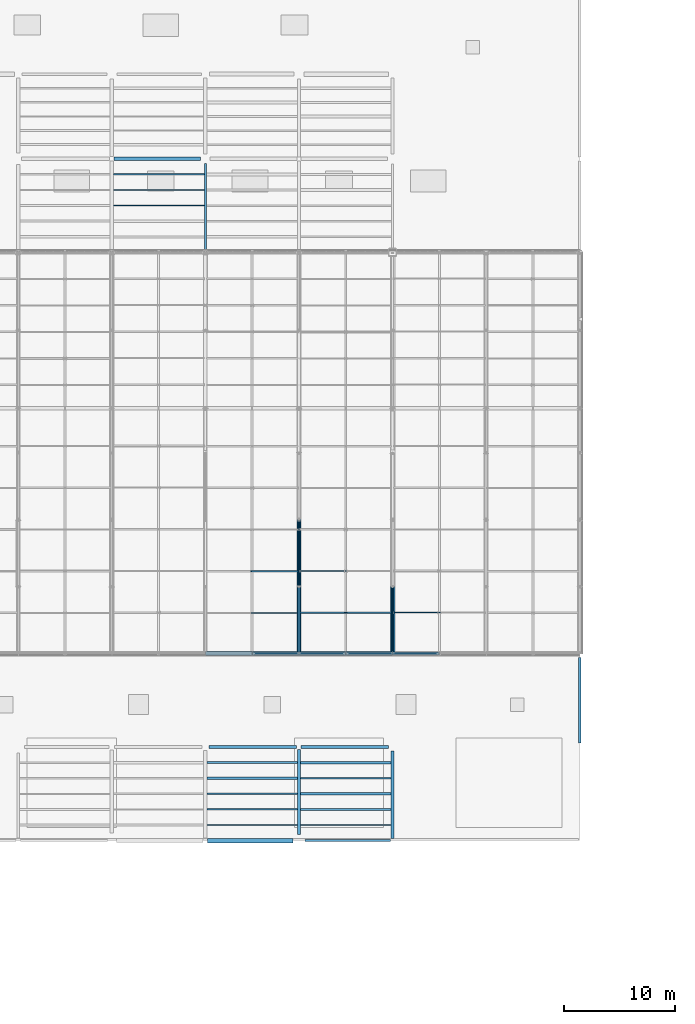
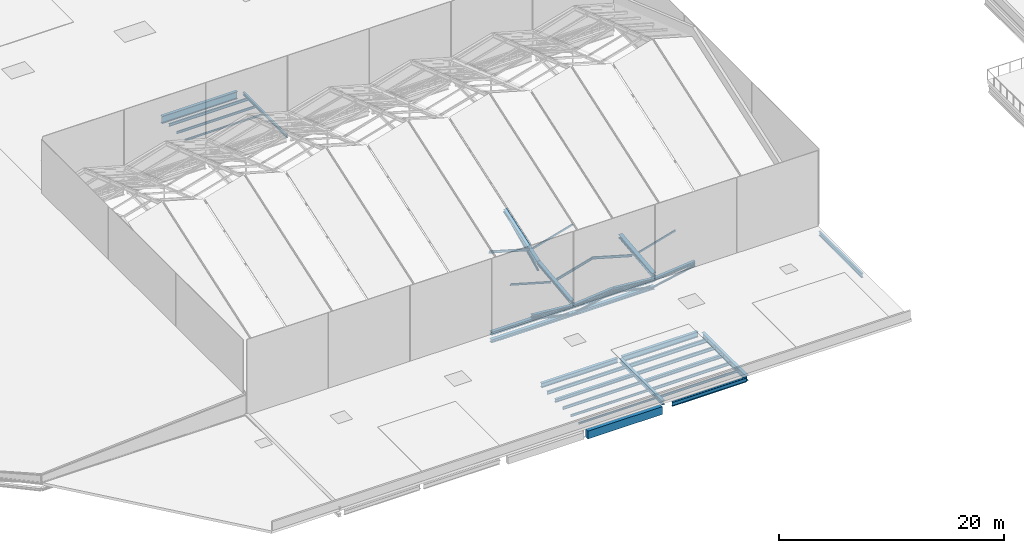
# One storey, part 21 of 77: 24 members, 22 beams.
"""IFC4 building model written with IfcOpenShell, lengths in metres."""

from ifc_helpers import new_model, si_unit, direction, frame, origin, origin_2d, place, context, subcontext, project, spatial, rectangle, hollow_rectangle, hollow_circle, i_section, extrude, material, material_profile, profile_set, type_object, element, save


model = new_model("IFC4")

# Units and contexts
model_context = context("Model", 3, precision=1e-05, world=origin(), true_north=direction((0.0, 1.0)))
body_context = subcontext(model_context, "Body", "Model", "MODEL_VIEW")
ifc_project = project(units=[si_unit("LENGTHUNIT", "METRE"), si_unit("AREAUNIT", "SQUARE_METRE"), si_unit("VOLUMEUNIT", "CUBIC_METRE"), si_unit("PLANEANGLEUNIT", "RADIAN"), si_unit("MASSUNIT", "GRAM", prefix="KILO")], contexts=[model_context])

# Site, building, storey
site_placement = place(None, origin())
site = spatial("IfcSite", under=ifc_project, at=site_placement, CompositionType="ELEMENT")
building_placement = place(site_placement, origin())
building = spatial("IfcBuilding", under=site, at=building_placement, Name="Larkvane Passage Sports Hall", CompositionType="ELEMENT")
storey_placement = place(building_placement, frame((0.0, 0.0, 22.199951171875)))
storey = spatial("IfcBuildingStorey", under=building, at=storey_placement, Name="RF", CompositionType="ELEMENT", Elevation=22.199951171875)

# Beams
ifc_material_1 = material(Name="Steel S355JR", Category="steel")
ifc_material_profile_1 = material_profile(ifc_material_1, i_section(OverallWidth=0.199951171875, OverallDepth=0.2939453125, WebThickness=0.008056640625, FlangeThickness=0.011962890625, FilletRadius=0.012939453125, at=origin_2d()), Name="H-294x200x8x12")
ifc_profile_set_1 = profile_set([ifc_material_profile_1], Name="Steel S355JR")
beam_type_1 = type_object("IfcBeamType", Name="BM-STL-H294", PredefinedType="BEAM", material=ifc_profile_set_1)
beam_1_placement = place(storey_placement, frame((60.0, 75.800048828125, -0.52685546875), z_axis=(0.0, 1.0, 0.0), x_axis=(-1.0, 0.0, 0.0)))
element("IfcBeam", 1, at=beam_1_placement, inside=storey, type_object=beam_type_1, Name="Girder BM5-Y-RF-9-1171", PredefinedType="BEAM", context=body_context, shape_type="SweptSolid", body=[
    extrude(i_section(OverallWidth=0.199951171875, OverallDepth=0.2939453125, WebThickness=0.008056640625, FlangeThickness=0.011962890625, FilletRadius=0.012939453125, at=origin_2d()), origin(), (0.0, 0.0, 1.0), 7.77490234375),
])
ifc_material_profile_2 = material_profile(ifc_material_1, i_section(OverallWidth=0.300048828125, OverallDepth=0.43994140625, WebThickness=0.010986328125, FlangeThickness=0.01806640625, FilletRadius=0.01806640625, at=origin_2d()), Name="H-440x300x11x18")
ifc_profile_set_2 = profile_set([ifc_material_profile_2], Name="Steel S355JR")
beam_type_2 = type_object("IfcBeamType", Name="BM-STL-H440", PredefinedType="BEAM", material=ifc_profile_set_2)
beam_2_placement = place(storey_placement, frame((68.39990234375, 23.35009765625, -0.599853515625), z_axis=(0.0, 1.0, 0.0), x_axis=(-1.0, 0.0, 0.0)))
element("IfcBeam", 2, at=beam_2_placement, inside=storey, type_object=beam_type_2, Name="Girder BM5-Y-RF-10-1173", PredefinedType="BEAM", context=body_context, shape_type="SweptSolid", body=[
    extrude(i_section(OverallWidth=0.300048828125, OverallDepth=0.43994140625, WebThickness=0.010986328125, FlangeThickness=0.01806640625, FilletRadius=0.01806640625, at=origin_2d()), origin(), (0.0, 0.0, 1.0), 7.646728515625),
])
ifc_material_profile_3 = material_profile(ifc_material_1, i_section(OverallWidth=0.300048828125, OverallDepth=0.488037109375, WebThickness=0.010986328125, FlangeThickness=0.01806640625, FilletRadius=0.02197265625, at=origin_2d()), Name="H-488x300x11x18")
ifc_profile_set_3 = profile_set([ifc_material_profile_3], Name="Steel S355JR")
beam_type_3 = type_object("IfcBeamType", Name="BM-STL-H488", PredefinedType="BEAM", material=ifc_profile_set_3)
beam_3_placement = place(storey_placement, frame((60.324951171875, 31.199951171875, -0.6240234375), z_axis=(1.0, 0.0, 0.0), x_axis=(0.0, 1.0, 0.0)))
element("IfcBeam", 3, at=beam_3_placement, inside=storey, type_object=beam_type_3, Name="Girder BM5-X-RF-E-1135", PredefinedType="BEAM", context=body_context, shape_type="SweptSolid", body=[
    extrude(i_section(OverallWidth=0.300048828125, OverallDepth=0.488037109375, WebThickness=0.010986328125, FlangeThickness=0.01806640625, FilletRadius=0.02197265625, at=origin_2d()), origin(), (0.0, 0.0, 1.0), 7.871826171875),
])
ifc_material_2 = material(Name="Steel S460N", Category="steel")
ifc_material_profile_4 = material_profile(ifc_material_2, i_section(OverallWidth=0.300048828125, OverallDepth=0.58203125, WebThickness=0.011962890625, FlangeThickness=0.01708984375, FilletRadius=0.02197265625, at=origin_2d()), Name="H-582x300x12x17")
ifc_profile_set_4 = profile_set([ifc_material_profile_4], Name="Steel S460N")
beam_type_4 = type_object("IfcBeamType", Name="BM-STL-H582", PredefinedType="BEAM", material=ifc_profile_set_4)
beam_4_placement = place(storey_placement, frame((68.603271484375, 31.199951171875, -0.6708984375), z_axis=(1.0, 0.0, 0.0), x_axis=(0.0, 1.0, 0.0)))
element("IfcBeam", 4, at=beam_4_placement, inside=storey, type_object=beam_type_4, Name="Girder BM5-X-RF-E-1136", PredefinedType="BEAM", context=body_context, shape_type="SweptSolid", body=[
    extrude(i_section(OverallWidth=0.300048828125, OverallDepth=0.58203125, WebThickness=0.011962890625, FlangeThickness=0.01708984375, FilletRadius=0.02197265625, at=origin_2d()), origin(), (0.0, 0.0, 1.0), 7.8466796875),
])
ifc_material_profile_5 = material_profile(ifc_material_2, i_section(OverallWidth=0.300048828125, OverallDepth=0.587890625, WebThickness=0.011962890625, FlangeThickness=0.02001953125, FilletRadius=0.02197265625, at=origin_2d()), Name="H-588x300x12x20")
ifc_profile_set_5 = profile_set([ifc_material_profile_5], Name="Steel S460N")
beam_type_5 = type_object("IfcBeamType", Name="BM-STL-H588", PredefinedType="BEAM", material=ifc_profile_set_5)
beam_5_placement = place(storey_placement, frame((76.800048828125, 23.007080078125, -0.674072265625), z_axis=(0.0, 1.0, 0.0), x_axis=(-1.0, 0.0, 0.0)))
element("IfcBeam", 5, at=beam_5_placement, inside=storey, type_object=beam_type_5, Name="Girder BM5-Y-RF-11-1176", PredefinedType="BEAM", context=body_context, shape_type="SweptSolid", body=[
    extrude(i_section(OverallWidth=0.300048828125, OverallDepth=0.587890625, WebThickness=0.011962890625, FlangeThickness=0.02001953125, FilletRadius=0.02197265625, at=origin_2d()), origin(), (0.0, 0.0, 1.0), 7.843017578125),
])
ifc_material_profile_6 = material_profile(ifc_material_2, i_section(OverallWidth=0.300048828125, OverallDepth=0.800048828125, WebThickness=0.013916015625, FlangeThickness=0.02587890625, FilletRadius=0.02197265625, at=origin_2d()), Name="H-800x300x14x26")
ifc_profile_set_6 = profile_set([ifc_material_profile_6], Name="Steel S460N")
beam_type_6 = type_object("IfcBeamType", Name="BM-STL-H800", PredefinedType="BEAM", material=ifc_profile_set_6)
beam_6_placement = place(storey_placement, frame((51.800048828125, 84.0, -0.780029296875), z_axis=(1.0, 0.0, 0.0), x_axis=(0.0, 1.0, 0.0)))
element("IfcBeam", 6, at=beam_6_placement, inside=storey, type_object=beam_type_6, Name="Girder BM5-X-RF-K-1155", PredefinedType="BEAM", context=body_context, shape_type="SweptSolid", body=[
    extrude(i_section(OverallWidth=0.300048828125, OverallDepth=0.800048828125, WebThickness=0.013916015625, FlangeThickness=0.02587890625, FilletRadius=0.02197265625, at=origin_2d()), origin(), (0.0, 0.0, 1.0), 7.77490234375),
])
ifc_material_profile_7 = material_profile(ifc_material_1, i_section(OverallWidth=0.10009765625, OverallDepth=0.199951171875, WebThickness=0.005615234375, FlangeThickness=0.008056640625, FilletRadius=0.008056640625, at=origin_2d()), Name="H-200x100x5.5x8")
ifc_profile_set_7 = profile_set([ifc_material_profile_7], Name="Steel S355JR")
beam_type_7 = type_object("IfcBeamType", Name="JST-STL-H200", PredefinedType="JOIST", material=ifc_profile_set_7)
beam_7_placement = place(storey_placement, frame((51.75, 79.800048828125, -0.47998046875), z_axis=(1.0, 0.0, 0.0), x_axis=(0.0, 1.0, 0.0)))
element("IfcBeam", 7, at=beam_7_placement, inside=storey, type_object=beam_type_7, Name="Composite joist RF 8/J-3", PredefinedType="JOIST", context=body_context, shape_type="SweptSolid", body=[
    extrude(i_section(OverallWidth=0.10009765625, OverallDepth=0.199951171875, WebThickness=0.005615234375, FlangeThickness=0.008056640625, FilletRadius=0.008056640625, at=origin_2d()), origin(), (0.0, 0.0, 1.0), 8.14990234375),
])
beam_8_placement = place(storey_placement, frame((60.14990234375, 24.199951171875, -0.47998046875), z_axis=(1.0, 0.0, 0.0), x_axis=(0.0, 1.0, 0.0)))
element("IfcBeam", 8, at=beam_8_placement, inside=storey, type_object=beam_type_7, Name="Composite joist RF 9/D-1", PredefinedType="JOIST", context=body_context, shape_type="SweptSolid", body=[
    extrude(i_section(OverallWidth=0.10009765625, OverallDepth=0.199951171875, WebThickness=0.005615234375, FlangeThickness=0.008056640625, FilletRadius=0.008056640625, at=origin_2d()), origin(), (0.0, 0.0, 1.0), 8.10009765625),
])
ifc_material_profile_8 = material_profile(ifc_material_1, i_section(OverallWidth=0.125, OverallDepth=0.25, WebThickness=0.006103515625, FlangeThickness=0.009033203125, FilletRadius=0.008056640625, at=origin_2d()), Name="H-250x125x6x9")
ifc_profile_set_8 = profile_set([ifc_material_profile_8], Name="Steel S355JR")
beam_type_8 = type_object("IfcBeamType", Name="JST-STL-H250", PredefinedType="JOIST", material=ifc_profile_set_8)
beam_9_placement = place(storey_placement, frame((51.75, 81.199951171875, -0.5048828125), z_axis=(1.0, 0.0, 0.0), x_axis=(0.0, 1.0, 0.0)))
element("IfcBeam", 9, at=beam_9_placement, inside=storey, type_object=beam_type_8, Name="Composite joist RF 8/J-4", PredefinedType="JOIST", context=body_context, shape_type="SweptSolid", body=[
    extrude(i_section(OverallWidth=0.125, OverallDepth=0.25, WebThickness=0.006103515625, FlangeThickness=0.009033203125, FilletRadius=0.008056640625, at=origin_2d()), origin(), (0.0, 0.0, 1.0), 8.14990234375),
])
beam_10_placement = place(storey_placement, frame((60.14990234375, 25.60009765625, -0.5048828125), z_axis=(1.0, 0.0, 0.0), x_axis=(0.0, 1.0, 0.0)))
element("IfcBeam", 10, at=beam_10_placement, inside=storey, type_object=beam_type_8, Name="Composite joist RF 9/D-2", PredefinedType="JOIST", context=body_context, shape_type="SweptSolid", body=[
    extrude(i_section(OverallWidth=0.125, OverallDepth=0.25, WebThickness=0.006103515625, FlangeThickness=0.009033203125, FilletRadius=0.008056640625, at=origin_2d()), origin(), (0.0, 0.0, 1.0), 8.10009765625),
])
beam_11_placement = place(storey_placement, frame((68.550048828125, 24.199951171875, -0.5048828125), z_axis=(1.0, 0.0, 0.0), x_axis=(0.0, 1.0, 0.0)))
element("IfcBeam", 11, at=beam_11_placement, inside=storey, type_object=beam_type_8, Name="Composite joist RF 10/D-1", PredefinedType="JOIST", context=body_context, shape_type="SweptSolid", body=[
    extrude(i_section(OverallWidth=0.125, OverallDepth=0.25, WebThickness=0.006103515625, FlangeThickness=0.009033203125, FilletRadius=0.008056640625, at=origin_2d()), origin(), (0.0, 0.0, 1.0), 8.099853515625),
])
ifc_material_profile_9 = material_profile(ifc_material_1, i_section(OverallWidth=0.14990234375, OverallDepth=0.300048828125, WebThickness=0.006591796875, FlangeThickness=0.009033203125, FilletRadius=0.012939453125, at=origin_2d()), Name="H-300x150x6.5x9")
ifc_profile_set_9 = profile_set([ifc_material_profile_9], Name="Steel S355JR")
beam_type_9 = type_object("IfcBeamType", Name="JST-STL-H300", PredefinedType="JOIST", material=ifc_profile_set_9)
beam_12_placement = place(storey_placement, frame((51.75, 82.60009765625, -0.530029296875), z_axis=(1.0, 0.0, 0.0), x_axis=(0.0, 1.0, 0.0)))
element("IfcBeam", 12, at=beam_12_placement, inside=storey, type_object=beam_type_9, Name="Composite joist RF 8/J-5", PredefinedType="JOIST", context=body_context, shape_type="SweptSolid", body=[
    extrude(i_section(OverallWidth=0.14990234375, OverallDepth=0.300048828125, WebThickness=0.006591796875, FlangeThickness=0.009033203125, FilletRadius=0.012939453125, at=origin_2d()), origin(), (0.0, 0.0, 1.0), 8.14990234375),
])
beam_13_placement = place(storey_placement, frame((60.14990234375, 27.0, -0.530029296875), z_axis=(1.0, 0.0, 0.0), x_axis=(0.0, 1.0, 0.0)))
element("IfcBeam", 13, at=beam_13_placement, inside=storey, type_object=beam_type_9, Name="Composite joist RF 9/D-3", PredefinedType="JOIST", context=body_context, shape_type="SweptSolid", body=[
    extrude(i_section(OverallWidth=0.14990234375, OverallDepth=0.300048828125, WebThickness=0.006591796875, FlangeThickness=0.009033203125, FilletRadius=0.012939453125, at=origin_2d()), origin(), (0.0, 0.0, 1.0), 8.10009765625),
])
beam_14_placement = place(storey_placement, frame((68.550048828125, 25.60009765625, -0.530029296875), z_axis=(1.0, 0.0, 0.0), x_axis=(0.0, 1.0, 0.0)))
element("IfcBeam", 14, at=beam_14_placement, inside=storey, type_object=beam_type_9, Name="Composite joist RF 10/D-2", PredefinedType="JOIST", context=body_context, shape_type="SweptSolid", body=[
    extrude(i_section(OverallWidth=0.14990234375, OverallDepth=0.300048828125, WebThickness=0.006591796875, FlangeThickness=0.009033203125, FilletRadius=0.012939453125, at=origin_2d()), origin(), (0.0, 0.0, 1.0), 8.099853515625),
])
ifc_material_profile_10 = material_profile(ifc_material_1, i_section(OverallWidth=0.25, OverallDepth=0.340087890625, WebThickness=0.009033203125, FlangeThickness=0.013916015625, FilletRadius=0.012939453125, at=origin_2d()), Name="H-340x250x9x14")
ifc_profile_set_10 = profile_set([ifc_material_profile_10], Name="Steel S355JR")
beam_type_10 = type_object("IfcBeamType", Name="JST-STL-H340", PredefinedType="JOIST", material=ifc_profile_set_10)
beam_15_placement = place(storey_placement, frame((60.14990234375, 28.39990234375, -0.550048828125), z_axis=(1.0, 0.0, 0.0), x_axis=(0.0, 1.0, 0.0)))
element("IfcBeam", 15, at=beam_15_placement, inside=storey, type_object=beam_type_10, Name="Composite joist RF 9/D-4", PredefinedType="JOIST", context=body_context, shape_type="SweptSolid", body=[
    extrude(i_section(OverallWidth=0.25, OverallDepth=0.340087890625, WebThickness=0.009033203125, FlangeThickness=0.013916015625, FilletRadius=0.012939453125, at=origin_2d()), origin(), (0.0, 0.0, 1.0), 8.10009765625),
])
beam_16_placement = place(storey_placement, frame((68.550048828125, 27.0, -0.550048828125), z_axis=(1.0, 0.0, 0.0), x_axis=(0.0, 1.0, 0.0)))
element("IfcBeam", 16, at=beam_16_placement, inside=storey, type_object=beam_type_10, Name="Composite joist RF 10/D-3", PredefinedType="JOIST", context=body_context, shape_type="SweptSolid", body=[
    extrude(i_section(OverallWidth=0.25, OverallDepth=0.340087890625, WebThickness=0.009033203125, FlangeThickness=0.013916015625, FilletRadius=0.012939453125, at=origin_2d()), origin(), (0.0, 0.0, 1.0), 8.099853515625),
])
ifc_material_profile_11 = material_profile(ifc_material_1, i_section(OverallWidth=0.175048828125, OverallDepth=0.35009765625, WebThickness=0.007080078125, FlangeThickness=0.010986328125, FilletRadius=0.012939453125, at=origin_2d()), Name="H-350x175x7x11")
ifc_profile_set_11 = profile_set([ifc_material_profile_11], Name="Steel S355JR")
beam_type_11 = type_object("IfcBeamType", Name="JST-STL-H350", PredefinedType="JOIST", material=ifc_profile_set_11)
beam_17_placement = place(storey_placement, frame((60.14990234375, 29.800048828125, -0.554931640625), z_axis=(1.0, 0.0, 0.0), x_axis=(0.0, 1.0, 0.0)))
element("IfcBeam", 17, at=beam_17_placement, inside=storey, type_object=beam_type_11, Name="Composite joist RF 9/D-5", PredefinedType="JOIST", context=body_context, shape_type="SweptSolid", body=[
    extrude(i_section(OverallWidth=0.175048828125, OverallDepth=0.35009765625, WebThickness=0.007080078125, FlangeThickness=0.010986328125, FilletRadius=0.012939453125, at=origin_2d()), origin(), (0.0, 0.0, 1.0), 8.10009765625),
])
beam_18_placement = place(storey_placement, frame((68.550048828125, 28.39990234375, -0.554931640625), z_axis=(1.0, 0.0, 0.0), x_axis=(0.0, 1.0, 0.0)))
element("IfcBeam", 18, at=beam_18_placement, inside=storey, type_object=beam_type_11, Name="Composite joist RF 10/D-4", PredefinedType="JOIST", context=body_context, shape_type="SweptSolid", body=[
    extrude(i_section(OverallWidth=0.175048828125, OverallDepth=0.35009765625, WebThickness=0.007080078125, FlangeThickness=0.010986328125, FilletRadius=0.012939453125, at=origin_2d()), origin(), (0.0, 0.0, 1.0), 8.099853515625),
])
ifc_material_profile_12 = material_profile(ifc_material_1, i_section(OverallWidth=0.199951171875, OverallDepth=0.39990234375, WebThickness=0.008056640625, FlangeThickness=0.012939453125, FilletRadius=0.012939453125, at=origin_2d()), Name="H-400x200x8x13")
ifc_profile_set_12 = profile_set([ifc_material_profile_12], Name="Steel S355JR")
beam_type_12 = type_object("IfcBeamType", Name="JST-STL-H400", PredefinedType="JOIST", material=ifc_profile_set_12)
beam_19_placement = place(storey_placement, frame((68.550048828125, 29.800048828125, -0.579833984375), z_axis=(1.0, 0.0, 0.0), x_axis=(0.0, 1.0, 0.0)))
element("IfcBeam", 19, at=beam_19_placement, inside=storey, type_object=beam_type_12, Name="Composite joist RF 10/D-5", PredefinedType="JOIST", context=body_context, shape_type="SweptSolid", body=[
    extrude(i_section(OverallWidth=0.199951171875, OverallDepth=0.39990234375, WebThickness=0.008056640625, FlangeThickness=0.012939453125, FilletRadius=0.012939453125, at=origin_2d()), origin(), (0.0, 0.0, 1.0), 8.099853515625),
])

# Members
ifc_material_profile_13 = material_profile(ifc_material_1, hollow_circle(Radius=0.108154296875, WallThickness=0.00830078125, at=origin_2d()), Name="CHS-216.3x8.2")
ifc_profile_set_13 = profile_set([ifc_material_profile_13], Name="Steel S355JR")
member_type_1 = type_object("IfcMemberType", Name="MBR-BR-CHS216", PredefinedType="BRACE", material=ifc_profile_set_13)
member_1_placement = place(storey_placement, frame((68.39990234375, 45.64990234375, 0.239990234375), z_axis=(0.0, 0.902208757823, 0.431299614314), x_axis=(-1.0, 0.0, 0.0)))
element("IfcMember", 20, at=member_1_placement, inside=storey, type_object=member_type_1, Name="Arena roof truss 5 web brace 2", PredefinedType="BRACE", context=body_context, shape_type="SweptSolid", body=[
    extrude(hollow_circle(Radius=0.108154296875, WallThickness=0.00830078125, at=origin_2d()), origin(), (0.0, 0.0, 1.0), 6.53955078125),
])
member_2_placement = place(storey_placement, frame((76.800048828125, 39.64990234375, 0.18994140625), z_axis=(0.0, 0.991533014949, 0.129854843063), x_axis=(-1.0, 0.0, 0.0)))
element("IfcMember", 21, at=member_2_placement, inside=storey, type_object=member_type_1, Name="Arena roof truss 6 web brace 1", PredefinedType="BRACE", context=body_context, shape_type="SweptSolid", body=[
    extrude(hollow_circle(Radius=0.108154296875, WallThickness=0.00830078125, at=origin_2d()), origin(), (0.0, 0.0, 1.0), 5.950439453125),
])
member_3_placement = place(storey_placement, frame((64.199951171875, 39.60009765625, 0.050048828125), z_axis=(0.98102339237, 0.0, -0.193889410804), x_axis=(0.0, 1.0, 0.0)))
element("IfcMember", 22, at=member_3_placement, inside=storey, type_object=member_type_1, Name="Arena south valley eave truss web 4B", PredefinedType="BRACE", context=body_context, shape_type="SweptSolid", body=[
    extrude(hollow_circle(Radius=0.108154296875, WallThickness=0.00830078125, at=origin_2d()), origin(), (0.0, 0.0, 1.0), 4.28125),
])
member_4_placement = place(storey_placement, frame((68.39990234375, 39.60009765625, -0.780029296875), z_axis=(0.981025535986, 0.0, 0.193878564424), x_axis=(0.0, 1.0, 0.0)))
element("IfcMember", 23, at=member_4_placement, inside=storey, type_object=member_type_1, Name="Arena south valley eave truss web 5A", PredefinedType="BRACE", context=body_context, shape_type="SweptSolid", body=[
    extrude(hollow_circle(Radius=0.108154296875, WallThickness=0.00830078125, at=origin_2d()), origin(), (0.0, 0.0, 1.0), 4.281494140625),
])
for number, where, z_axis, x_axis, name in (
    (24, (72.60009765625, 39.60009765625, 0.050048828125), (0.98102339237, 0.0, -0.193889410804), (0.0, 1.0, 0.0), "Arena south valley eave truss web 5B"),
    (25, (76.800048828125, 39.60009765625, -0.780029296875), (0.98102339237, 0.0, 0.193889410804), (0.0, 1.0, 0.0), "Arena south valley eave truss web 6A"),
):
    element("IfcMember", number, at=place(storey_placement, frame(where, z_axis=z_axis, x_axis=x_axis)), inside=storey, type_object=member_type_1, Name=name, PredefinedType="BRACE", context=body_context, shape_type="SweptSolid", body=[
        extrude(hollow_circle(Radius=0.108154296875, WallThickness=0.00830078125, at=origin_2d()), origin(), (0.0, 0.0, 1.0), 4.28125),
    ])
ifc_material_profile_14 = material_profile(ifc_material_1, hollow_rectangle(XDim=0.199951171875, YDim=0.199951171875, WallThickness=0.009033203125, InnerFilletRadius=0.009033203125, OuterFilletRadius=0.01806640625, at=origin_2d()), Name="SHS-200x200x9")
ifc_profile_set_14 = profile_set([ifc_material_profile_14], Name="Steel S355JR")
member_type_2 = type_object("IfcMemberType", Name="MBR-BR-SHS200", PredefinedType="BRACE", material=ifc_profile_set_14)
member_5_placement = place(storey_placement, frame((68.39990234375, 39.64990234375, 0.239990234375), z_axis=(0.0, 0.992063585709, 0.125737193819), x_axis=(-1.0, 0.0, 0.0)))
element("IfcMember", 26, at=member_5_placement, inside=storey, type_object=member_type_2, Name="Arena roof truss 5 web brace 1", PredefinedType="BRACE", context=body_context, shape_type="SweptSolid", body=[
    extrude(hollow_rectangle(XDim=0.199951171875, YDim=0.199951171875, WallThickness=0.009033203125, InnerFilletRadius=0.009033203125, OuterFilletRadius=0.01806640625, at=origin_2d()), origin(), (0.0, 0.0, 1.0), 5.947265625),
])
ifc_material_profile_15 = material_profile(ifc_material_2, i_section(OverallWidth=0.300048828125, OverallDepth=0.300048828125, WebThickness=0.010009765625, FlangeThickness=0.014892578125, FilletRadius=0.012939453125, at=origin_2d()), Name="H-300x300x10x15")
ifc_profile_set_15 = profile_set([ifc_material_profile_15], Name="Steel S460N")
member_type_3 = type_object("IfcMemberType", Name="MBR-CH-H300", PredefinedType="CHORD", material=ifc_profile_set_15)
member_6_placement = place(storey_placement, frame((64.199951171875, 39.60009765625, 0.449951171875), z_axis=(0.99549755299, 0.0, -0.094787245934), x_axis=(0.0, 1.0, 0.0)))
element("IfcMember", 27, at=member_6_placement, inside=storey, type_object=member_type_3, Name="Arena roof fold tie 4-SEAVE-E", PredefinedType="CHORD", context=body_context, shape_type="SweptSolid", body=[
    extrude(i_section(OverallWidth=0.300048828125, OverallDepth=0.300048828125, WebThickness=0.010009765625, FlangeThickness=0.014892578125, FilletRadius=0.012939453125, at=origin_2d()), origin(), (0.0, 0.0, 1.0), 4.218994140625),
])
member_7_placement = place(storey_placement, frame((68.39990234375, 39.60009765625, 0.050048828125), z_axis=(0.995498072864, 0.0, 0.094781785826), x_axis=(0.0, 1.0, 0.0)))
element("IfcMember", 28, at=member_7_placement, inside=storey, type_object=member_type_3, Name="Arena roof fold tie 5-SEAVE-W", PredefinedType="CHORD", context=body_context, shape_type="SweptSolid", body=[
    extrude(i_section(OverallWidth=0.300048828125, OverallDepth=0.300048828125, WebThickness=0.010009765625, FlangeThickness=0.014892578125, FilletRadius=0.012939453125, at=origin_2d()), origin(), (0.0, 0.0, 1.0), 4.21923828125),
])
for number, where, z_axis, x_axis, name in (
    (29, (72.60009765625, 39.60009765625, 0.449951171875), (0.99549755299, 0.0, -0.094787245934), (0.0, 1.0, 0.0), "Arena roof fold tie 5-SEAVE-E"),
    (30, (76.800048828125, 39.60009765625, 0.050048828125), (0.99549755299, 0.0, 0.094787245934), (0.0, 1.0, 0.0), "Arena roof fold tie 6-SEAVE-W"),
):
    element("IfcMember", number, at=place(storey_placement, frame(where, z_axis=z_axis, x_axis=x_axis)), inside=storey, type_object=member_type_3, Name=name, PredefinedType="CHORD", context=body_context, shape_type="SweptSolid", body=[
        extrude(i_section(OverallWidth=0.300048828125, OverallDepth=0.300048828125, WebThickness=0.010009765625, FlangeThickness=0.014892578125, FilletRadius=0.012939453125, at=origin_2d()), origin(), (0.0, 0.0, 1.0), 4.218994140625),
    ])
ifc_material_profile_16 = material_profile(ifc_material_2, i_section(OverallWidth=0.35009765625, OverallDepth=0.35009765625, WebThickness=0.011962890625, FlangeThickness=0.01904296875, FilletRadius=0.012939453125, at=origin_2d()), Name="H-350x350x12x19")
ifc_profile_set_16 = profile_set([ifc_material_profile_16], Name="Steel S460N")
member_type_4 = type_object("IfcMemberType", Name="MBR-CH-H350", PredefinedType="CHORD", material=ifc_profile_set_16)
member_8_placement = place(storey_placement, frame((68.39990234375, 39.60009765625, 0.5), z_axis=(0.0, 0.994132743148, 0.108166949674), x_axis=(-1.0, 0.0, 0.0)))
element("IfcMember", 31, at=member_8_placement, inside=storey, type_object=member_type_4, Name="Arena roof truss 5 top chord 1", PredefinedType="CHORD", context=body_context, shape_type="SweptSolid", body=[
    extrude(i_section(OverallWidth=0.35009765625, OverallDepth=0.35009765625, WebThickness=0.011962890625, FlangeThickness=0.01904296875, FilletRadius=0.012939453125, at=origin_2d()), origin(), (0.0, 0.0, 1.0), 6.035400390625),
])
member_9_placement = place(storey_placement, frame((68.39990234375, 45.60009765625, 1.15283203125), z_axis=(0.0, 0.945188910593, 0.326524001096), x_axis=(-1.0, 0.0, 0.0)))
element("IfcMember", 32, at=member_9_placement, inside=storey, type_object=member_type_4, Name="Arena roof truss 5 top chord 2", PredefinedType="CHORD", context=body_context, shape_type="SweptSolid", body=[
    extrude(i_section(OverallWidth=0.35009765625, OverallDepth=0.35009765625, WebThickness=0.011962890625, FlangeThickness=0.01904296875, FilletRadius=0.012939453125, at=origin_2d()), origin(), (0.0, 0.0, 1.0), 6.347900390625),
])
for number, where, z_axis, x_axis, name in (
    (33, (60.0, 39.60009765625, -0.780029296875), (1.0, 0.0, 0.0), (0.0, 1.0, 0.0), "Arena south valley eave truss bottom chord 4"),
    (34, (60.0, 39.60009765625, 0.050048828125), (1.0, 0.0, 0.0), (0.0, 1.0, 0.0), "Arena south valley eave truss top chord 4"),
):
    element("IfcMember", number, at=place(storey_placement, frame(where, z_axis=z_axis, x_axis=x_axis)), inside=storey, type_object=member_type_4, Name=name, PredefinedType="CHORD", context=body_context, shape_type="SweptSolid", body=[
        extrude(i_section(OverallWidth=0.35009765625, OverallDepth=0.35009765625, WebThickness=0.011962890625, FlangeThickness=0.01904296875, FilletRadius=0.012939453125, at=origin_2d()), origin(), (0.0, 0.0, 1.0), 8.39990234375),
    ])
for number, where, z_axis, x_axis, name in (
    (35, (68.39990234375, 39.60009765625, -0.780029296875), (1.0, 0.0, 0.0), (0.0, 1.0, 0.0), "Arena south valley eave truss bottom chord 5"),
    (36, (68.39990234375, 39.60009765625, 0.050048828125), (1.0, 0.0, 0.0), (0.0, 1.0, 0.0), "Arena south valley eave truss top chord 5"),
):
    element("IfcMember", number, at=place(storey_placement, frame(where, z_axis=z_axis, x_axis=x_axis)), inside=storey, type_object=member_type_4, Name=name, PredefinedType="CHORD", context=body_context, shape_type="SweptSolid", body=[
        extrude(i_section(OverallWidth=0.35009765625, OverallDepth=0.35009765625, WebThickness=0.011962890625, FlangeThickness=0.01904296875, FilletRadius=0.012939453125, at=origin_2d()), origin(), (0.0, 0.0, 1.0), 8.400146484375),
    ])
ifc_material_profile_17 = material_profile(ifc_material_2, i_section(OverallWidth=0.39990234375, OverallDepth=0.39990234375, WebThickness=0.012939453125, FlangeThickness=0.02099609375, FilletRadius=0.02197265625, at=origin_2d()), Name="H-400x400x13x21")
ifc_profile_set_17 = profile_set([ifc_material_profile_17], Name="Steel S460N")
member_type_5 = type_object("IfcMemberType", Name="MBR-CH-H400", PredefinedType="CHORD", material=ifc_profile_set_17)
member_10_placement = place(storey_placement, frame((76.800048828125, 39.60009765625, 0.5), z_axis=(0.0, 0.994132743148, 0.108166949674), x_axis=(-1.0, 0.0, 0.0)))
element("IfcMember", 37, at=member_10_placement, inside=storey, type_object=member_type_5, Name="Arena roof truss 6 top chord 1", PredefinedType="CHORD", context=body_context, shape_type="SweptSolid", body=[
    extrude(i_section(OverallWidth=0.39990234375, OverallDepth=0.39990234375, WebThickness=0.012939453125, FlangeThickness=0.02099609375, FilletRadius=0.02197265625, at=origin_2d()), origin(), (0.0, 0.0, 1.0), 6.035400390625),
])
ifc_material_profile_18 = material_profile(ifc_material_1, i_section(OverallWidth=0.10009765625, OverallDepth=0.199951171875, WebThickness=0.005615234375, FlangeThickness=0.008056640625, FilletRadius=0.008056640625, at=origin_2d()), Name="H-200x100x5.5x8")
ifc_profile_set_18 = profile_set([ifc_material_profile_18], Name="Steel S355JR")
member_type_6 = type_object("IfcMemberType", Name="MBR-PR-H200", PredefinedType="PURLIN", material=ifc_profile_set_18)
member_11_placement = place(storey_placement, frame((64.104736328125, 43.235107421875, 1.68310546875), z_axis=(0.961515511102, 0.0, -0.274750654067), x_axis=(0.0, 1.0, 0.0)))
element("IfcMember", 38, at=member_11_placement, inside=storey, type_object=member_type_6, Name="Folded roof purlin FRP-B4-SE-1", PredefinedType="PURLIN", context=body_context, shape_type="SweptSolid", body=[
    extrude(i_section(OverallWidth=0.10009765625, OverallDepth=0.199951171875, WebThickness=0.005615234375, FlangeThickness=0.008056640625, FilletRadius=0.008056640625, at=origin_2d()), origin(), (0.0, 0.0, 1.0), 4.368408203125),
])
ifc_material_profile_19 = material_profile(ifc_material_1, i_section(OverallWidth=0.125, OverallDepth=0.25, WebThickness=0.006103515625, FlangeThickness=0.009033203125, FilletRadius=0.008056640625, at=origin_2d()), Name="H-250x125x6x9")
ifc_profile_set_19 = profile_set([ifc_material_profile_19], Name="Steel S355JR")
member_type_7 = type_object("IfcMemberType", Name="MBR-PR-H250", PredefinedType="PURLIN", material=ifc_profile_set_19)
member_12_placement = place(storey_placement, frame((64.098388671875, 46.98291015625, 2.9521484375), z_axis=(0.96152605678, 0.0, -0.274713745804), x_axis=(0.0, 1.0, 0.0)))
element("IfcMember", 39, at=member_12_placement, inside=storey, type_object=member_type_7, Name="Folded roof purlin FRP-B4-SE-2", PredefinedType="PURLIN", context=body_context, shape_type="SweptSolid", body=[
    extrude(i_section(OverallWidth=0.125, OverallDepth=0.25, WebThickness=0.006103515625, FlangeThickness=0.009033203125, FilletRadius=0.008056640625, at=origin_2d()), origin(), (0.0, 0.0, 1.0), 4.367919921875),
])
member_13_placement = place(storey_placement, frame((68.51220703125, 43.255615234375, 0.423583984375), z_axis=(0.961511291812, 0.0, 0.274765419436), x_axis=(0.0, 1.0, 0.0)))
element("IfcMember", 40, at=member_13_placement, inside=storey, type_object=member_type_7, Name="Folded roof purlin FRP-B5-SW-1", PredefinedType="PURLIN", context=body_context, shape_type="SweptSolid", body=[
    extrude(i_section(OverallWidth=0.125, OverallDepth=0.25, WebThickness=0.006103515625, FlangeThickness=0.009033203125, FilletRadius=0.008056640625, at=origin_2d()), origin(), (0.0, 0.0, 1.0), 4.3681640625),
])
member_14_placement = place(storey_placement, frame((72.48779296875, 43.255615234375, 1.623779296875), z_axis=(0.961515511102, 0.0, -0.274750654067), x_axis=(0.0, 1.0, 0.0)))
element("IfcMember", 41, at=member_14_placement, inside=storey, type_object=member_type_7, Name="Folded roof purlin FRP-B5-SE-1", PredefinedType="PURLIN", context=body_context, shape_type="SweptSolid", body=[
    extrude(i_section(OverallWidth=0.125, OverallDepth=0.25, WebThickness=0.006103515625, FlangeThickness=0.009033203125, FilletRadius=0.008056640625, at=origin_2d()), origin(), (0.0, 0.0, 1.0), 4.368408203125),
])
ifc_material_profile_20 = material_profile(ifc_material_1, hollow_rectangle(XDim=0.10009765625, YDim=0.199951171875, WallThickness=0.008056640625, InnerFilletRadius=0.008056640625, OuterFilletRadius=0.01611328125, at=origin_2d()), Name="RHS-200x100x8")
ifc_profile_set_20 = profile_set([ifc_material_profile_20], Name="Steel S355JR")
member_type_8 = type_object("IfcMemberType", Name="MBR-PR-RHS200", PredefinedType="PURLIN", material=ifc_profile_set_20)
member_15_placement = place(storey_placement, frame((68.505615234375, 46.987548828125, 1.738525390625), z_axis=(0.96152605678, 0.0, 0.274713745804), x_axis=(0.0, 1.0, 0.0)))
element("IfcMember", 42, at=member_15_placement, inside=storey, type_object=member_type_8, Name="Folded roof purlin FRP-B5-SW-2", PredefinedType="PURLIN", context=body_context, shape_type="SweptSolid", body=[
    extrude(hollow_rectangle(XDim=0.10009765625, YDim=0.199951171875, WallThickness=0.008056640625, InnerFilletRadius=0.008056640625, OuterFilletRadius=0.01611328125, at=origin_2d()), origin(), (0.0, 0.0, 1.0), 4.367919921875),
])
member_16_placement = place(storey_placement, frame((76.916015625, 43.26025390625, 0.409912109375), z_axis=(0.961511291812, 0.0, 0.274765419436), x_axis=(0.0, 1.0, 0.0)))
element("IfcMember", 43, at=member_16_placement, inside=storey, type_object=member_type_8, Name="Folded roof purlin FRP-B6-SW-1", PredefinedType="PURLIN", context=body_context, shape_type="SweptSolid", body=[
    extrude(hollow_rectangle(XDim=0.10009765625, YDim=0.199951171875, WallThickness=0.008056640625, InnerFilletRadius=0.008056640625, OuterFilletRadius=0.01611328125, at=origin_2d()), origin(), (0.0, 0.0, 1.0), 4.3681640625),
])

# Beams
ifc_material_3 = material(Name="Concrete C40/50", Category="concrete")
ifc_material_profile_21 = material_profile(ifc_material_3, rectangle(XDim=0.39990234375, YDim=0.85009765625, at=origin_2d()), Name="RC-SP-400x850")
ifc_profile_set_21 = profile_set([ifc_material_profile_21], Name="Concrete C40/50")
beam_type_13 = type_object("IfcBeamType", Name="SP-RC-400x850", PredefinedType="SPANDREL", material=ifc_profile_set_21)
beam_20_placement = place(storey_placement, frame((60.20361328125, 22.800048828125, -0.804931640625), z_axis=(1.0, 0.0, 0.0), x_axis=(0.0, 1.0, 0.0)))
element("IfcBeam", 44, at=beam_20_placement, inside=storey, type_object=beam_type_13, Name="Girder BM5-X-RF-D-1130", PredefinedType="SPANDREL", context=body_context, shape_type="SweptSolid", body=[
    extrude(rectangle(XDim=0.39990234375, YDim=0.85009765625, at=origin_2d()), origin(), (0.0, 0.0, 1.0), 7.646484375),
])
ifc_material_profile_22 = material_profile(ifc_material_1, i_section(OverallWidth=0.199951171875, OverallDepth=0.449951171875, WebThickness=0.009033203125, FlangeThickness=0.013916015625, FilletRadius=0.01806640625, at=origin_2d()), Name="H-450x200x9x14")
ifc_profile_set_22 = profile_set([ifc_material_profile_22], Name="Steel S355JR")
beam_type_14 = type_object("IfcBeamType", Name="SP-STL-H450", PredefinedType="SPANDREL", material=ifc_profile_set_22)
beam_21_placement = place(storey_placement, frame((68.949951171875, 22.800048828125, -0.60498046875), z_axis=(1.0, 0.0, 0.0), x_axis=(0.0, 1.0, 0.0)))
element("IfcBeam", 45, at=beam_21_placement, inside=storey, type_object=beam_type_14, Name="Girder BM5-X-RF-D-1131", PredefinedType="SPANDREL", context=body_context, shape_type="SweptSolid", body=[
    extrude(i_section(OverallWidth=0.199951171875, OverallDepth=0.449951171875, WebThickness=0.009033203125, FlangeThickness=0.013916015625, FilletRadius=0.01806640625, at=origin_2d()), origin(), (0.0, 0.0, 1.0), 7.6474609375),
])
beam_22_placement = place(storey_placement, frame((93.60009765625, 31.574951171875, -0.60498046875), z_axis=(0.0, 1.0, 0.0), x_axis=(-1.0, 0.0, 0.0)))
element("IfcBeam", 46, at=beam_22_placement, inside=storey, type_object=beam_type_14, Name="Girder BM5-Y-RF-13-1179", PredefinedType="SPANDREL", context=body_context, shape_type="SweptSolid", body=[
    extrude(i_section(OverallWidth=0.199951171875, OverallDepth=0.449951171875, WebThickness=0.009033203125, FlangeThickness=0.013916015625, FilletRadius=0.01806640625, at=origin_2d()), origin(), (0.0, 0.0, 1.0), 7.675048828125),
])

save(model, "model.ifc")
